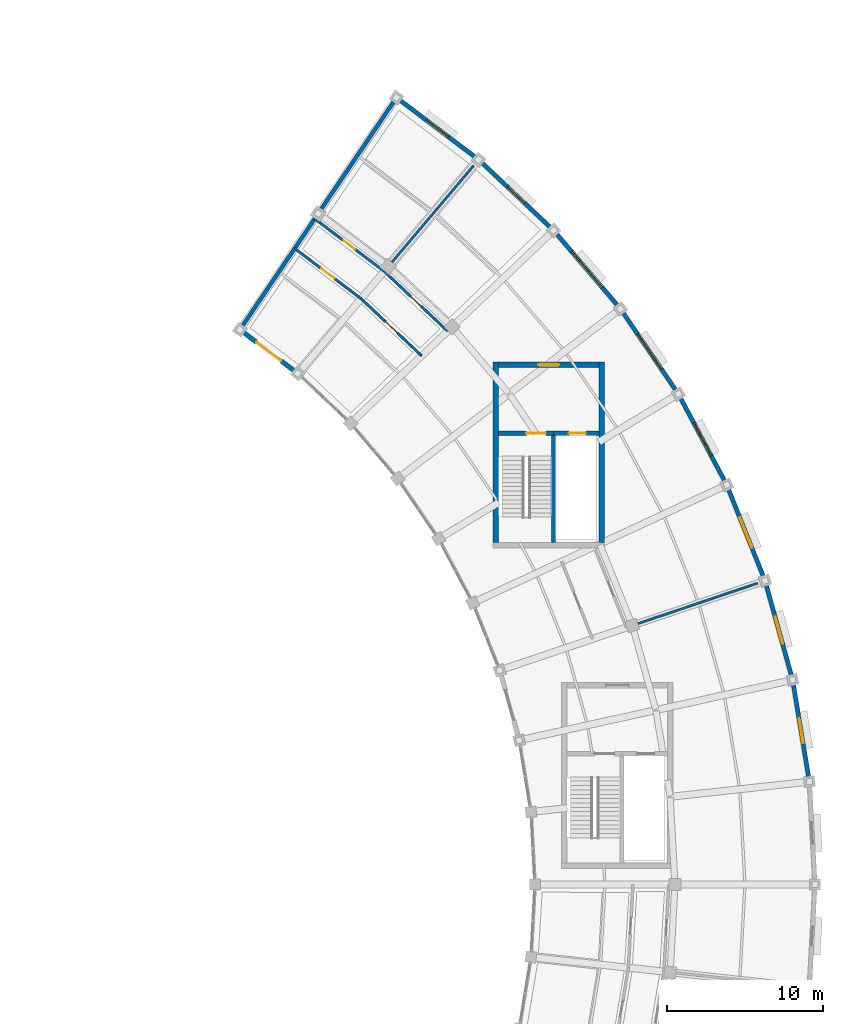
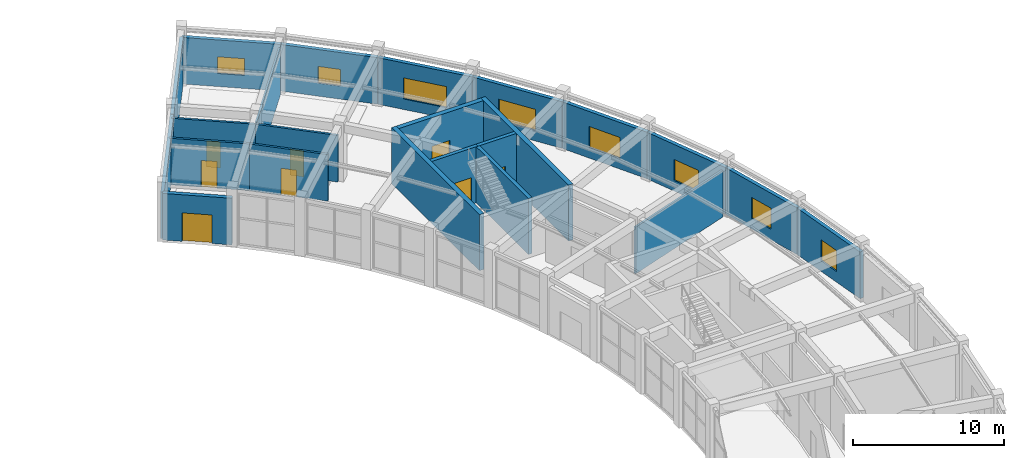
# One storey, part 95 of 108: 23 walls, 8 doors, 8 windows, 16 openings.
"""IFC4 building model written with IfcOpenShell, lengths in metres."""

import ifcopenshell
import ifcopenshell.guid

model = None  # the IFC model being written
_history = None  # IfcOwnerHistory: only IFC2X3 demands one
_inside = {}  # id of a spatial element -> (the spatial element, [elements in it])
_under = {}  # id of a project, library or spatial element -> (it, [spatial elements below it])
_declared = {}  # id of a project -> (the project, [libraries it declares])
_typed = {}  # id of a type object -> (the type object, [elements of that type])
_made_of = {}  # id of a material, layer set ... -> (it, [elements and type objects made of it])


def new_model(schema):
    """Start an empty IFC model of exactly this schema.

    Asked for "IFC4X3", IfcOpenShell would pick the latest addendum, in which some entities
    have other attributes; the version numbers below select the first issue.
    IFC2X3 requires an IfcOwnerHistory on every rooted entity: one is made here for all.
    """
    global model, _history
    if schema == "IFC4X3":
        model = ifcopenshell.file(schema_version=(4, 3, 0, 0))
    else:
        model = ifcopenshell.file(schema=schema)
    _inside.clear()
    _under.clear()
    _declared.clear()
    _typed.clear()
    _made_of.clear()
    _history = None
    if model.schema == "IFC2X3":
        org = make("IfcOrganization", Name="unknown")
        user = make(
            "IfcPersonAndOrganization",
            ThePerson=make("IfcPerson", FamilyName="unknown"),
            TheOrganization=org,
        )
        app = make(
            "IfcApplication",
            ApplicationDeveloper=org,
            Version="unknown",
            ApplicationFullName="unknown",
            ApplicationIdentifier="unknown",
        )
        _history = make(
            "IfcOwnerHistory",
            OwningUser=user,
            OwningApplication=app,
            ChangeAction="ADDED",
            CreationDate=0,
        )
    return model


def make(cls, **values):
    """One entity of the class cls with the attributes given. An attribute that is None is left unset."""
    return model.create_entity(
        cls, **{name: value for name, value in values.items() if value is not None}
    )


def rooted(cls, **values):
    """An entity with a GlobalId (a new one), such as an element, a storey or a relation."""
    return make(cls, GlobalId=ifcopenshell.guid.new(), OwnerHistory=_history, **values)


def si_unit(unit_type, name, prefix=None):
    """IfcSIUnit, for example si_unit("LENGTHUNIT", "METRE", prefix="MILLI")."""
    return make("IfcSIUnit", UnitType=unit_type, Prefix=prefix, Name=name)


def assignment(units):
    """IfcUnitAssignment: the units of a project."""
    return None if units is None else make("IfcUnitAssignment", Units=units)


def point(xyz):
    """IfcCartesianPoint."""
    return None if xyz is None else make("IfcCartesianPoint", Coordinates=xyz)


def direction(xyz):
    """IfcDirection."""
    return None if xyz is None else make("IfcDirection", DirectionRatios=xyz)


def frame(location, z_axis=None, x_axis=None):
    """IfcAxis2Placement3D, a coordinate frame: its origin and axes. An axis left out is left unset."""
    return make(
        "IfcAxis2Placement3D",
        Location=point(location),
        Axis=direction(z_axis),
        RefDirection=direction(x_axis),
    )


def frame_2d(location, x_axis=None):
    """IfcAxis2Placement2D, a coordinate frame in the plane: its origin and x axis."""
    return make(
        "IfcAxis2Placement2D", Location=point(location), RefDirection=direction(x_axis)
    )


def origin():
    """The frame at (0, 0, 0) with its axes left unset."""
    return frame((0.0, 0.0, 0.0))


def place(relative_to, where):
    """IfcLocalPlacement: puts the frame where relative to a parent placement (None: the world)."""
    return make(
        "IfcLocalPlacement", PlacementRelTo=relative_to, RelativePlacement=where
    )


def context(
    kind, dimensions, precision=None, world=None, true_north=None, identifier=None
):
    """IfcGeometricRepresentationContext, for example the 3D "Model" context."""
    return make(
        "IfcGeometricRepresentationContext",
        ContextIdentifier=identifier,
        ContextType=kind,
        CoordinateSpaceDimension=dimensions,
        Precision=precision,
        WorldCoordinateSystem=world,
        TrueNorth=true_north,
    )


def subcontext(parent, identifier, kind, view, scale=None):
    """IfcGeometricRepresentationSubContext, for example "Body" below "Model"."""
    return make(
        "IfcGeometricRepresentationSubContext",
        ContextIdentifier=identifier,
        ContextType=kind,
        ParentContext=parent,
        TargetScale=scale,
        TargetView=view,
    )


def project(units=None, contexts=None):
    """IfcProject with its units and contexts."""
    return rooted(
        "IfcProject",
        Name="project",
        RepresentationContexts=contexts,
        UnitsInContext=assignment(units),
    )


def spatial(cls, under=None, at=None, **own):
    """A site, building, storey or space (cls), placed at a placement, below another one or the project."""
    s = rooted(cls, ObjectPlacement=at, **own)
    if under is not None:
        _under.setdefault(under.id(), (under, []))[1].append(s)
    return s


def profile(cls, at=None, kind="AREA", **sizes):
    """A parametric profile (cls). Its sizes go by their IFC names, for example OverallWidth=200.0."""
    return make(cls, ProfileType=kind, Position=at, **sizes)


def rectangle(**sizes):
    """IfcRectangleProfileDef."""
    return profile("IfcRectangleProfileDef", **sizes)


def extrude(swept, where, along, depth):
    """IfcExtrudedAreaSolid: the profile swept, set in the frame where, extruded along a direction by depth."""
    return make(
        "IfcExtrudedAreaSolid",
        SweptArea=swept,
        Position=where,
        ExtrudedDirection=direction(along),
        Depth=depth,
    )


def shape(context_of_items, identifier, shape_type, items):
    """IfcShapeRepresentation: the items that make up one representation, for example the "Body"."""
    return make(
        "IfcShapeRepresentation",
        ContextOfItems=context_of_items,
        RepresentationIdentifier=identifier,
        RepresentationType=shape_type,
        Items=items,
    )


def material(Name=None, Category=None):
    """IfcMaterial."""
    return make("IfcMaterial", Name=Name, Category=Category)


def layer(
    of_material, thickness, ventilated=None, Name=None, Category=None, Priority=None
):
    """IfcMaterialLayer: one layer of a wall or slab, of a material (None: an air gap)."""
    return make(
        "IfcMaterialLayer",
        Material=of_material,
        LayerThickness=thickness,
        IsVentilated=ventilated,
        Name=Name,
        Category=Category,
        Priority=Priority,
    )


def layer_set(layers, Name=None):
    """IfcMaterialLayerSet."""
    return make("IfcMaterialLayerSet", MaterialLayers=layers, LayerSetName=Name)


def made_of(thing, what):
    """Note that an element or type object is made of a material, layer set ...; save() writes the relation."""
    if what is not None:
        _made_of.setdefault(what.id(), (what, []))[1].append(thing)
    return thing


def type_object(cls, material=None, **own):
    """A type object (cls), such as IfcWallType, which elements share."""
    return made_of(rooted(cls, **own), material)


def element(
    cls,
    number,
    at=None,
    inside=None,
    cuts=None,
    type_object=None,
    material=None,
    context=None,
    identifier="Body",
    shape_type=None,
    held_by="IfcProductDefinitionShape",
    body=None,
    shapes=None,
    **own,
):
    """One element of the class cls, such as IfcWall. Its Tag is "e" and its number.

    at: its placement. inside: the storey or other place that contains it. cuts: it is an
    opening in that element (IfcRelVoidsElement). A single representation is given by context,
    identifier, shape_type and body (its items); several are given by shapes. held_by: the class
    of the entity that holds the representations. save() writes the other relations.
    """
    e = rooted(cls, Tag="e%d" % number, ObjectPlacement=at, **own)
    if body is not None:
        shapes = [shape(context, identifier, shape_type, body)]
    if shapes is not None:
        e.Representation = make(held_by, Representations=shapes)
    if inside is not None:
        _inside.setdefault(inside.id(), (inside, []))[1].append(e)
    if cuts is not None:
        rooted(
            "IfcRelVoidsElement", RelatingBuildingElement=cuts, RelatedOpeningElement=e
        )
    if type_object is not None:
        _typed.setdefault(type_object.id(), (type_object, []))[1].append(e)
    return made_of(e, material)


def fill(opening, filler):
    """IfcRelFillsElement: the door or window that sits in an opening."""
    return rooted(
        "IfcRelFillsElement",
        RelatingOpeningElement=opening,
        RelatedBuildingElement=filler,
    )


def aggregate(whole, parts):
    """IfcRelAggregates: a whole, such as a stair, and the parts it consists of."""
    return rooted("IfcRelAggregates", RelatingObject=whole, RelatedObjects=parts)


def save(model, path):
    """Write the relations noted so far, then the file.

    IfcRelAggregates (storeys below a building ...), IfcRelContainedInSpatialStructure (elements
    in a storey), IfcRelDefinesByType, IfcRelAssociatesMaterial and IfcRelDeclares: one each for
    every whole, place, type object, material and project.
    """
    for whole, parts in _under.values():
        aggregate(whole, parts)
    for where, things in _inside.values():
        rooted(
            "IfcRelContainedInSpatialStructure",
            RelatedElements=things,
            RelatingStructure=where,
        )
    for kind, things in _typed.values():
        rooted("IfcRelDefinesByType", RelatedObjects=things, RelatingType=kind)
    for what, things in _made_of.values():
        rooted("IfcRelAssociatesMaterial", RelatedObjects=things, RelatingMaterial=what)
    for by, libraries in _declared.values():
        rooted("IfcRelDeclares", RelatingContext=by, RelatedDefinitions=libraries)
    model.write(path)


model = new_model("IFC4")

# Units and contexts
model_context = context("Model", 3, precision=1e-05, world=origin(), true_north=direction((0.0, 1.0)))
body_context = subcontext(model_context, "Body", "Model", "MODEL_VIEW")
ifc_project = project(units=[si_unit("LENGTHUNIT", "METRE"), si_unit("AREAUNIT", "SQUARE_METRE"), si_unit("VOLUMEUNIT", "CUBIC_METRE"), si_unit("PLANEANGLEUNIT", "RADIAN"), si_unit("MASSUNIT", "GRAM", prefix="KILO")], contexts=[model_context])

# Site, building, storey
site_placement = place(None, origin())
site = spatial("IfcSite", under=ifc_project, at=site_placement, CompositionType="ELEMENT")
building_placement = place(site_placement, origin())
building = spatial("IfcBuilding", under=site, at=building_placement, Name="Tarnveldt Headland Concert Hall", CompositionType="ELEMENT")
storey_placement = place(building_placement, origin())
storey = spatial("IfcBuildingStorey", under=building, at=storey_placement, Name="L00", CompositionType="ELEMENT", Elevation=0.0)

# Wall, opening, door
ifc_material_1 = material(Name="Concrete C40/50", Category="concrete")
ifc_layer_1 = layer(ifc_material_1, 0.35009765625, Name="Concrete C40/50", Category="concrete")
ifc_layer_set_1 = layer_set([ifc_layer_1], Name="Concrete C40/50")
wall_type_1 = type_object("IfcWallType", Name="WL-CR350", PredefinedType="SHEAR", material=ifc_layer_set_1)
wall_1_placement = place(storey_placement, frame((158.175048828125, 93.39990234375, 0.0), z_axis=(0.0, 0.0, 1.0), x_axis=(1.0, 0.0, 0.0)))
wall_1 = element("IfcWall", 1, at=wall_1_placement, inside=storey, type_object=wall_type_1, Name="Core C3 north shear wall L00", PredefinedType="SHEAR", context=body_context, shape_type="SweptSolid", body=[
    extrude(rectangle(XDim=6.449951171875, YDim=0.35009765625, at=frame_2d((3.22509765625, 0.0))), origin(), (0.0, 0.0, 1.0), 4.52001953125),
])
opening_1_placement = place(wall_1_placement, frame((2.550048828125, 0.0, 0.0)))
opening_1 = element("IfcOpeningElement", 2, at=opening_1_placement, cuts=wall_1, Name="Opening FFD-C3-L00", PredefinedType="OPENING", context=body_context, shape_type="SweptSolid", body=[
    extrude(rectangle(XDim=1.35009765625, YDim=2.199951171875, at=frame_2d((0.675048828125, 1.10009765625))), frame((0.0, 0.18505859375, 0.0), z_axis=(0.0, -1.0, 0.0), x_axis=(1.0, 0.0, 0.0)), (0.0, 0.0, 1.0), 0.3701171875),
])
ifc_material_2 = material(Name="Galvanised painted steel sheet", Category="steel")
door_type_1 = type_object("IfcDoorType", Name="DR-FF135", OperationType="NOTDEFINED", PredefinedType="DOOR", material=ifc_material_2)
door_1_placement = place(opening_1_placement, origin())
door_1 = element("IfcDoor", 3, at=door_1_placement, inside=storey, type_object=door_type_1, Name="Core C3 firefighting lobby entrance door L00", OperationType="SINGLE_SWING_RIGHT", OverallHeight=2.199951171875, OverallWidth=1.35009765625, PredefinedType="DOOR", context=body_context, shape_type="SweptSolid", body=[
    extrude(rectangle(XDim=1.35009765625, YDim=2.199951171875, at=frame_2d((0.675048828125, 1.10009765625))), frame((0.0, 0.02490234375, 0.0), z_axis=(0.0, -1.0, 0.0), x_axis=(1.0, 0.0, 0.0)), (0.0, 0.0, 1.0), 0.050048828125),
])
fill(opening_1, door_1)

# Walls
for number, where, z_axis, x_axis, name in (
    (4, (158.0, 81.97509765625, 0.0), (0.0, 0.0, 1.0), (0.0, 1.0, 0.0), "Core C3 west shear wall L00"),
    (5, (164.800048828125, 81.97509765625, 0.0), (0.0, 0.0, 1.0), (0.0, 1.0, 0.0), "Core C3 east shear wall L00"),
):
    element("IfcWall", number, at=place(storey_placement, frame(where, z_axis=z_axis, x_axis=x_axis)), inside=storey, type_object=wall_type_1, Name=name, PredefinedType="SHEAR", context=body_context, shape_type="SweptSolid", body=[
        extrude(rectangle(XDim=11.599853515625, YDim=0.35009765625, at=frame_2d((5.7998046875, 0.0))), origin(), (0.0, 0.0, 1.0), 4.52001953125),
    ])
ifc_material_3 = material(Name="Coral-toned precast concrete C40/50", Category="concrete")
ifc_layer_2 = layer(ifc_material_3, 0.25, Name="Coral-toned precast concrete C40/50", Category="concrete")
ifc_layer_set_2 = layer_set([ifc_layer_2], Name="Coral-toned precast concrete C40/50")
wall_type_2 = type_object("IfcWallType", Name="WL-EX250", PredefinedType="SOLIDWALL", material=ifc_layer_set_2)
wall_2_placement = place(storey_placement, frame((141.556396484375, 95.665283203125, 0.0), z_axis=(0.0, 0.0, 1.0), x_axis=(0.559200466777, 0.829032470991, 0.0)))
element("IfcWall", 6, at=wall_2_placement, inside=storey, type_object=wall_type_2, Name="External precast wall L00-109", PredefinedType="SOLIDWALL", context=body_context, shape_type="SweptSolid", body=[
    extrude(rectangle(XDim=8.960205078125, YDim=0.25, at=frame_2d((4.47998046875, 0.0))), origin(), (0.0, 0.0, 1.0), 3.758056640625),
])
wall_3_placement = place(storey_placement, frame((146.589111328125, 103.126708984375, 0.0), z_axis=(0.0, 0.0, 1.0), x_axis=(0.559213098812, 0.829023950268, 0.0)))
element("IfcWall", 7, at=wall_3_placement, inside=storey, type_object=wall_type_2, Name="External precast wall L00-110", PredefinedType="SOLIDWALL", context=body_context, shape_type="SweptSolid", body=[
    extrude(rectangle(XDim=8.9599609375, YDim=0.25, at=frame_2d((4.47998046875, 0.0))), origin(), (0.0, 0.0, 1.0), 3.758056640625),
])

# Wall, opening, window
ifc_layer_3 = layer(ifc_material_3, 0.27490234375, Name="Coral-toned precast concrete C40/50", Category="concrete")
ifc_layer_set_3 = layer_set([ifc_layer_3], Name="Coral-toned precast concrete C40/50")
wall_type_3 = type_object("IfcWallType", Name="WL-EX275", PredefinedType="SOLIDWALL", material=ifc_layer_set_3)
wall_4_placement = place(storey_placement, frame((177.070068359375, 73.12548828125, 0.0), z_axis=(0.0, 0.0, 1.0), x_axis=(0.162178892589, -0.986761372774, 0.0)))
wall_4 = element("IfcWall", 8, at=wall_4_placement, inside=storey, type_object=wall_type_3, Name="External precast wall L00-97", PredefinedType="SOLIDWALL", context=body_context, shape_type="SweptSolid", body=[
    extrude(rectangle(XDim=6.58154296875, YDim=0.27490234375, at=frame_2d((3.290771484375, 0.0))), origin(), (0.0, 0.0, 1.0), 3.758056640625),
])
opening_2_placement = place(wall_4_placement, frame((2.49072265625, 0.0, 0.85009765625)))
opening_2 = element("IfcOpeningElement", 9, at=opening_2_placement, cuts=wall_4, Name="Opening W-C034", PredefinedType="OPENING", context=body_context, shape_type="SweptSolid", body=[
    extrude(rectangle(XDim=1.60009765625, YDim=1.699951171875, at=frame_2d((0.800048828125, 0.85009765625))), frame((0.0, 0.1474609375, 0.0), z_axis=(0.0, -1.0, 0.0), x_axis=(1.0, 0.0, 0.0)), (0.0, 0.0, 1.0), 0.294921875),
])
ifc_material_4 = material(Name="Acoustic laminated low-iron double glazing", Category="glass")
window_type_1 = type_object("IfcWindowType", Name="WN-11", PartitioningType="SINGLE_PANEL", PredefinedType="WINDOW", material=ifc_material_4)
window_1_placement = place(opening_2_placement, origin())
window_1 = element("IfcWindow", 10, at=window_1_placement, inside=storey, type_object=window_type_1, Name="Crescent coastal studio window L00-11", OverallHeight=1.699951171875, OverallWidth=1.60009765625, PartitioningType="SINGLE_PANEL", PredefinedType="WINDOW", context=body_context, shape_type="SweptSolid", body=[
    extrude(rectangle(XDim=1.60009765625, YDim=1.699951171875, at=frame_2d((0.800048828125, 0.85009765625))), frame((0.0, 0.030029296875, 0.0), z_axis=(0.0, -1.0, 0.0), x_axis=(1.0, 0.0, 0.0)), (0.0, 0.0, 1.0), 0.06005859375),
])
fill(opening_2, window_1)

wall_5_placement = place(storey_placement, frame((175.296630859375, 79.50439453125, 0.0), z_axis=(0.0, 0.0, 1.0), x_axis=(0.268139380464, -0.96338012884, 0.0)))
wall_5 = element("IfcWall", 11, at=wall_5_placement, inside=storey, type_object=wall_type_3, Name="External precast wall L00-99", PredefinedType="SOLIDWALL", context=body_context, shape_type="SweptSolid", body=[
    extrude(rectangle(XDim=6.5810546875, YDim=0.27490234375, at=frame_2d((3.29052734375, 0.0))), origin(), (0.0, 0.0, 1.0), 3.758056640625),
])
opening_3_placement = place(wall_5_placement, frame((2.390625, 0.0, 0.85009765625)))
opening_3 = element("IfcOpeningElement", 12, at=opening_3_placement, cuts=wall_5, Name="Opening W-C035", PredefinedType="OPENING", context=body_context, shape_type="SweptSolid", body=[
    extrude(rectangle(XDim=1.800048828125, YDim=1.699951171875, at=frame_2d((0.89990234375, 0.85009765625))), frame((0.0, 0.1474609375, 0.0), z_axis=(0.0, -1.0, 0.0), x_axis=(1.0, 0.0, 0.0)), (0.0, 0.0, 1.0), 0.294921875),
])
window_type_2 = type_object("IfcWindowType", Name="WN-12", PartitioningType="SINGLE_PANEL", PredefinedType="WINDOW", material=ifc_material_4)
window_2_placement = place(opening_3_placement, origin())
window_2 = element("IfcWindow", 13, at=window_2_placement, inside=storey, type_object=window_type_2, Name="Crescent coastal studio window L00-12", OverallHeight=1.699951171875, OverallWidth=1.800048828125, PartitioningType="SINGLE_PANEL", PredefinedType="WINDOW", context=body_context, shape_type="SweptSolid", body=[
    extrude(rectangle(XDim=1.800048828125, YDim=1.699951171875, at=frame_2d((0.89990234375, 0.85009765625))), frame((0.0, 0.030029296875, 0.0), z_axis=(0.0, -1.0, 0.0), x_axis=(1.0, 0.0, 0.0)), (0.0, 0.0, 1.0), 0.06005859375),
])
fill(opening_3, window_2)

wall_6_placement = place(storey_placement, frame((172.842041015625, 85.65380859375, 0.0), z_axis=(0.0, 0.0, 1.0), x_axis=(0.371013273361, -0.928627563122, 0.0)))
wall_6 = element("IfcWall", 14, at=wall_6_placement, inside=storey, type_object=wall_type_3, Name="External precast wall L00-100", PredefinedType="SOLIDWALL", context=body_context, shape_type="SweptSolid", body=[
    extrude(rectangle(XDim=6.5810546875, YDim=0.27490234375, at=frame_2d((3.29052734375, 0.0))), origin(), (0.0, 0.0, 1.0), 3.758056640625),
])
opening_4_placement = place(wall_6_placement, frame((2.240478515625, 0.0, 0.85009765625)))
opening_4 = element("IfcOpeningElement", 15, at=opening_4_placement, cuts=wall_6, Name="Opening W-C036", PredefinedType="OPENING", context=body_context, shape_type="SweptSolid", body=[
    extrude(rectangle(XDim=2.10009765625, YDim=1.699951171875, at=frame_2d((1.050048828125, 0.85009765625))), frame((0.0, 0.1474609375, 0.0), z_axis=(0.0, -1.0, 0.0), x_axis=(1.0, 0.0, 0.0)), (0.0, 0.0, 1.0), 0.294921875),
])
window_type_3 = type_object("IfcWindowType", Name="WN-13", PartitioningType="SINGLE_PANEL", PredefinedType="WINDOW", material=ifc_material_4)
window_3_placement = place(opening_4_placement, origin())
window_3 = element("IfcWindow", 16, at=window_3_placement, inside=storey, type_object=window_type_3, Name="Crescent coastal studio window L00-13", OverallHeight=1.699951171875, OverallWidth=2.10009765625, PartitioningType="SINGLE_PANEL", PredefinedType="WINDOW", context=body_context, shape_type="SweptSolid", body=[
    extrude(rectangle(XDim=2.10009765625, YDim=1.699951171875, at=frame_2d((1.050048828125, 0.85009765625))), frame((0.0, 0.030029296875, 0.0), z_axis=(0.0, -1.0, 0.0), x_axis=(1.0, 0.0, 0.0)), (0.0, 0.0, 1.0), 0.06005859375),
])
fill(opening_4, window_3)

wall_7_placement = place(storey_placement, frame((169.735595703125, 91.5009765625, 0.0), z_axis=(0.0, 0.0, 1.0), x_axis=(0.469465310576, -0.882950917189, 0.0)))
wall_7 = element("IfcWall", 17, at=wall_7_placement, inside=storey, type_object=wall_type_3, Name="External precast wall L00-101", PredefinedType="SOLIDWALL", context=body_context, shape_type="SweptSolid", body=[
    extrude(rectangle(XDim=6.5810546875, YDim=0.27490234375, at=frame_2d((3.29052734375, 0.0))), origin(), (0.0, 0.0, 1.0), 3.758056640625),
])
opening_5_placement = place(wall_7_placement, frame((2.090576171875, 0.0, 0.85009765625)))
opening_5 = element("IfcOpeningElement", 18, at=opening_5_placement, cuts=wall_7, Name="Opening W-C037", PredefinedType="OPENING", context=body_context, shape_type="SweptSolid", body=[
    extrude(rectangle(XDim=2.39990234375, YDim=1.699951171875, at=frame_2d((1.199951171875, 0.85009765625))), frame((0.0, 0.1474609375, 0.0), z_axis=(0.0, -1.0, 0.0), x_axis=(1.0, 0.0, 0.0)), (0.0, 0.0, 1.0), 0.294921875),
])
window_type_4 = type_object("IfcWindowType", Name="WN-14", PartitioningType="SINGLE_PANEL", PredefinedType="WINDOW", material=ifc_material_4)
window_4_placement = place(opening_5_placement, origin())
window_4 = element("IfcWindow", 19, at=window_4_placement, inside=storey, type_object=window_type_4, Name="Crescent coastal studio window L00-14", OverallHeight=1.699951171875, OverallWidth=2.39990234375, PartitioningType="SINGLE_PANEL", PredefinedType="WINDOW", context=body_context, shape_type="SweptSolid", body=[
    extrude(rectangle(XDim=2.39990234375, YDim=1.699951171875, at=frame_2d((1.199951171875, 0.85009765625))), frame((0.0, 0.030029296875, 0.0), z_axis=(0.0, -1.0, 0.0), x_axis=(1.0, 0.0, 0.0)), (0.0, 0.0, 1.0), 0.06005859375),
])
fill(opening_5, window_4)

wall_8_placement = place(storey_placement, frame((166.013671875, 96.97705078125, 0.0), z_axis=(0.0, 0.0, 1.0), x_axis=(0.56240640933, -0.826860950067, 0.0)))
wall_8 = element("IfcWall", 20, at=wall_8_placement, inside=storey, type_object=wall_type_3, Name="External precast wall L00-102", PredefinedType="SOLIDWALL", context=body_context, shape_type="SweptSolid", body=[
    extrude(rectangle(XDim=6.581298828125, YDim=0.27490234375, at=frame_2d((3.29052734375, 0.0))), origin(), (0.0, 0.0, 1.0), 3.758056640625),
])
opening_6_placement = place(wall_8_placement, frame((1.940673828125, 0.0, 0.85009765625)))
opening_6 = element("IfcOpeningElement", 21, at=opening_6_placement, cuts=wall_8, Name="Opening W-C038", PredefinedType="OPENING", context=body_context, shape_type="SweptSolid", body=[
    extrude(rectangle(XDim=2.699951171875, YDim=1.699951171875, at=frame_2d((1.35009765625, 0.85009765625))), frame((0.0, 0.1474609375, 0.0), z_axis=(0.0, -1.0, 0.0), x_axis=(1.0, 0.0, 0.0)), (0.0, 0.0, 1.0), 0.294921875),
])
window_type_5 = type_object("IfcWindowType", Name="WN-15", PartitioningType="SINGLE_PANEL", PredefinedType="WINDOW", material=ifc_material_4)
window_5_placement = place(opening_6_placement, origin())
window_5 = element("IfcWindow", 22, at=window_5_placement, inside=storey, type_object=window_type_5, Name="Crescent coastal studio window L00-15", OverallHeight=1.699951171875, OverallWidth=2.699951171875, PartitioningType="SINGLE_PANEL", PredefinedType="WINDOW", context=body_context, shape_type="SweptSolid", body=[
    extrude(rectangle(XDim=2.699951171875, YDim=1.699951171875, at=frame_2d((1.35009765625, 0.85009765625))), frame((0.0, 0.030029296875, 0.0), z_axis=(0.0, -1.0, 0.0), x_axis=(1.0, 0.0, 0.0)), (0.0, 0.0, 1.0), 0.06005859375),
])
fill(opening_6, window_5)

wall_9_placement = place(storey_placement, frame((161.72021484375, 102.017333984375, 0.0), z_axis=(0.0, 0.0, 1.0), x_axis=(0.648708464949, -0.761037007973, 0.0)))
wall_9 = element("IfcWall", 23, at=wall_9_placement, inside=storey, type_object=wall_type_3, Name="External precast wall L00-103", PredefinedType="SOLIDWALL", context=body_context, shape_type="SweptSolid", body=[
    extrude(rectangle(XDim=6.581298828125, YDim=0.27490234375, at=frame_2d((3.29052734375, 0.0))), origin(), (0.0, 0.0, 1.0), 3.758056640625),
])
opening_7_placement = place(wall_9_placement, frame((1.79052734375, 0.0, 0.85009765625)))
opening_7 = element("IfcOpeningElement", 24, at=opening_7_placement, cuts=wall_9, Name="Opening W-C039", PredefinedType="OPENING", context=body_context, shape_type="SweptSolid", body=[
    extrude(rectangle(XDim=3.0, YDim=1.699951171875, at=frame_2d((1.5, 0.85009765625))), frame((0.0, 0.1474609375, 0.0), z_axis=(0.0, -1.0, 0.0), x_axis=(1.0, 0.0, 0.0)), (0.0, 0.0, 1.0), 0.294921875),
])
window_type_6 = type_object("IfcWindowType", Name="WN-16", PartitioningType="SINGLE_PANEL", PredefinedType="WINDOW", material=ifc_material_4)
window_6_placement = place(opening_7_placement, origin())
window_6 = element("IfcWindow", 25, at=window_6_placement, inside=storey, type_object=window_type_6, Name="Crescent coastal studio window L00-16", OverallHeight=1.699951171875, OverallWidth=3.0, PartitioningType="SINGLE_PANEL", PredefinedType="WINDOW", context=body_context, shape_type="SweptSolid", body=[
    extrude(rectangle(XDim=3.0, YDim=1.699951171875, at=frame_2d((1.5, 0.85009765625))), frame((0.0, 0.030029296875, 0.0), z_axis=(0.0, -1.0, 0.0), x_axis=(1.0, 0.0, 0.0)), (0.0, 0.0, 1.0), 0.06005859375),
])
fill(opening_7, window_6)

wall_10_placement = place(storey_placement, frame((156.905517578125, 106.5625, 0.0), z_axis=(0.0, 0.0, 1.0), x_axis=(0.727377231984, -0.686237832235, 0.0)))
wall_10 = element("IfcWall", 26, at=wall_10_placement, inside=storey, type_object=wall_type_3, Name="External precast wall L00-104", PredefinedType="SOLIDWALL", context=body_context, shape_type="SweptSolid", body=[
    extrude(rectangle(XDim=6.581298828125, YDim=0.27490234375, at=frame_2d((3.29052734375, 0.0))), origin(), (0.0, 0.0, 1.0), 3.758056640625),
])
opening_8_placement = place(wall_10_placement, frame((2.540771484375, 0.0, 1.050048828125)))
opening_8 = element("IfcOpeningElement", 27, at=opening_8_placement, cuts=wall_10, Name="Opening W-C040", PredefinedType="OPENING", context=body_context, shape_type="SweptSolid", body=[
    extrude(rectangle(XDim=1.5, YDim=1.35009765625, at=frame_2d((0.75, 0.675048828125))), frame((0.0, 0.1474609375, 0.0), z_axis=(0.0, -1.0, 0.0), x_axis=(1.0, 0.0, 0.0)), (0.0, 0.0, 1.0), 0.294921875),
])
window_type_7 = type_object("IfcWindowType", Name="WN-17", PartitioningType="SINGLE_PANEL", PredefinedType="WINDOW", material=ifc_material_4)
window_7_placement = place(opening_8_placement, origin())
window_7 = element("IfcWindow", 28, at=window_7_placement, inside=storey, type_object=window_type_7, Name="Crescent coastal studio window L00-17", OverallHeight=1.35009765625, OverallWidth=1.5, PartitioningType="SINGLE_PANEL", PredefinedType="WINDOW", context=body_context, shape_type="SweptSolid", body=[
    extrude(rectangle(XDim=1.5, YDim=1.35009765625, at=frame_2d((0.75, 0.675048828125))), frame((0.0, 0.030029296875, 0.0), z_axis=(0.0, -1.0, 0.0), x_axis=(1.0, 0.0, 0.0)), (0.0, 0.0, 1.0), 0.06005859375),
])
fill(opening_8, window_7)

wall_11_placement = place(storey_placement, frame((151.626708984375, 110.55908203125, 0.0), z_axis=(0.0, 0.0, 1.0), x_axis=(0.797477783019, -0.603348311998, 0.0)))
wall_11 = element("IfcWall", 29, at=wall_11_placement, inside=storey, type_object=wall_type_3, Name="External precast wall L00-106", PredefinedType="SOLIDWALL", context=body_context, shape_type="SweptSolid", body=[
    extrude(rectangle(XDim=6.5810546875, YDim=0.27490234375, at=frame_2d((3.29052734375, 0.0))), origin(), (0.0, 0.0, 1.0), 3.758056640625),
])
opening_9_placement = place(wall_11_placement, frame((2.390625, 0.0, 1.050048828125)))
opening_9 = element("IfcOpeningElement", 30, at=opening_9_placement, cuts=wall_11, Name="Opening W-C041", PredefinedType="OPENING", context=body_context, shape_type="SweptSolid", body=[
    extrude(rectangle(XDim=1.800048828125, YDim=1.35009765625, at=frame_2d((0.89990234375, 0.675048828125))), frame((0.0, 0.1474609375, 0.0), z_axis=(0.0, -1.0, 0.0), x_axis=(1.0, 0.0, 0.0)), (0.0, 0.0, 1.0), 0.294921875),
])
window_type_8 = type_object("IfcWindowType", Name="WN-18", PartitioningType="SINGLE_PANEL", PredefinedType="WINDOW", material=ifc_material_4)
window_8_placement = place(opening_9_placement, origin())
window_8 = element("IfcWindow", 31, at=window_8_placement, inside=storey, type_object=window_type_8, Name="Crescent coastal studio window L00-18", OverallHeight=1.35009765625, OverallWidth=1.800048828125, PartitioningType="SINGLE_PANEL", PredefinedType="WINDOW", context=body_context, shape_type="SweptSolid", body=[
    extrude(rectangle(XDim=1.800048828125, YDim=1.35009765625, at=frame_2d((0.89990234375, 0.675048828125))), frame((0.0, 0.030029296875, 0.0), z_axis=(0.0, -1.0, 0.0), x_axis=(1.0, 0.0, 0.0)), (0.0, 0.0, 1.0), 0.06005859375),
])
fill(opening_9, window_8)

# Wall, opening, door
ifc_layer_4 = layer(ifc_material_3, 0.300048828125, Name="Coral-toned precast concrete C40/50", Category="concrete")
ifc_layer_set_4 = layer_set([ifc_layer_4], Name="Coral-toned precast concrete C40/50")
wall_type_4 = type_object("IfcWallType", Name="WL-EX300", PredefinedType="SOLIDWALL", material=ifc_layer_set_4)
wall_12_placement = place(storey_placement, frame((145.25146484375, 92.844482421875, 0.0), z_axis=(0.0, 0.0, 1.0), x_axis=(-0.797466762723, 0.603362877837, 0.0)))
wall_12 = element("IfcWall", 32, at=wall_12_placement, inside=storey, type_object=wall_type_4, Name="External precast wall L00-105", PredefinedType="SOLIDWALL", context=body_context, shape_type="SweptSolid", body=[
    extrude(rectangle(XDim=4.62744140625, YDim=0.300048828125, at=frame_2d((2.313720703125, 0.0))), origin(), (0.0, 0.0, 1.0), 3.758056640625),
])
opening_10_placement = place(wall_12_placement, frame((1.313720703125, 0.0, 0.0)))
opening_10 = element("IfcOpeningElement", 33, at=opening_10_placement, cuts=wall_12, Name="Opening EX-12", PredefinedType="OPENING", context=body_context, shape_type="SweptSolid", body=[
    extrude(rectangle(XDim=2.0, YDim=2.300048828125, at=frame_2d((1.0, 1.14990234375))), frame((0.0, 0.159912109375, 0.0), z_axis=(0.0, -1.0, 0.0), x_axis=(1.0, 0.0, 0.0)), (0.0, 0.0, 1.0), 0.320068359375),
])
ifc_material_5 = material(Name="Marine-anodised aluminium EN AW-6063-T6", Category="aluminium")
door_type_2 = type_object("IfcDoorType", Name="DR-EX200", OperationType="NOTDEFINED", PredefinedType="DOOR", material=ifc_material_5)
door_2_placement = place(opening_10_placement, origin())
door_2 = element("IfcDoor", 34, at=door_2_placement, inside=storey, type_object=door_type_2, Name="Crescent forecourt exit door EX-12", OperationType="DOUBLE_DOOR_SINGLE_SWING", OverallHeight=2.300048828125, OverallWidth=2.0, PredefinedType="DOOR", context=body_context, shape_type="SweptSolid", body=[
    extrude(rectangle(XDim=2.0, YDim=2.300048828125, at=frame_2d((1.0, 1.14990234375))), frame((0.0, 0.02490234375, 0.0), z_axis=(0.0, -1.0, 0.0), x_axis=(1.0, 0.0, 0.0)), (0.0, 0.0, 1.0), 0.050048828125),
])
fill(opening_10, door_2)

# Walls
ifc_material_6 = material(Name="Acoustic multi-layer gypsum and mineral-wool partition", Category="gypsum")
ifc_layer_5 = layer(ifc_material_6, 0.14990234375, Name="Acoustic multi-layer gypsum and mineral-wool partition", Category="gypsum")
ifc_layer_set_5 = layer_set([ifc_layer_5], Name="Acoustic multi-layer gypsum and mineral-wool partition")
wall_type_5 = type_object("IfcWallType", Name="WL-PT150", PredefinedType="PARTITIONING", material=ifc_layer_set_5)
for number, where, z_axis, x_axis, name in (
    (35, (166.5751953125, 76.5791015625, 0.0), (0.0, 0.0, 1.0), (0.947390199596, 0.320080942435, 0.0), "Interior acoustic partition L00-162"),
    (36, (150.9501953125, 99.5517578125, 0.0), (0.0, 0.0, 1.0), (0.645745976221, 0.763552312677, 0.0), "Interior acoustic partition L00-167"),
):
    element("IfcWall", number, at=place(storey_placement, frame(where, z_axis=z_axis, x_axis=x_axis)), inside=storey, type_object=wall_type_5, Name=name, PredefinedType="PARTITIONING", context=body_context, shape_type="SweptSolid", body=[
        extrude(rectangle(XDim=8.699951171875, YDim=0.14990234375, at=frame_2d((4.35009765625, 0.0))), origin(), (0.0, 0.0, 1.0), 3.760009765625),
    ])

# Wall, opening, door
ifc_layer_6 = layer(ifc_material_6, 0.1650390625, Name="Acoustic multi-layer gypsum and mineral-wool partition", Category="gypsum")
ifc_layer_set_6 = layer_set([ifc_layer_6], Name="Acoustic multi-layer gypsum and mineral-wool partition")
wall_type_6 = type_object("IfcWallType", Name="WL-PT165", PredefinedType="PARTITIONING", material=ifc_layer_set_6)
wall_13_placement = place(storey_placement, frame((153.22802734375, 93.970458984375, 0.0), z_axis=(0.0, 0.0, 1.0), x_axis=(-0.7273609966, 0.68625504051, 0.0)))
wall_13 = element("IfcWall", 37, at=wall_13_placement, inside=storey, type_object=wall_type_6, Name="Interior acoustic partition L00-163", PredefinedType="PARTITIONING", context=body_context, shape_type="SweptSolid", body=[
    extrude(rectangle(XDim=5.351318359375, YDim=0.1650390625, at=frame_2d((2.67578125, 0.0))), origin(), (0.0, 0.0, 1.0), 3.760009765625),
])
opening_11_placement = place(wall_13_placement, frame((2.150634765625, 0.0, 0.0)))
opening_11 = element("IfcOpeningElement", 38, at=opening_11_placement, cuts=wall_13, Name="Opening D-L00-175", PredefinedType="OPENING", context=body_context, shape_type="SweptSolid", body=[
    extrude(rectangle(XDim=1.050048828125, YDim=2.14990234375, at=frame_2d((0.52490234375, 1.074951171875))), frame((0.0, 0.092529296875, 0.0), z_axis=(0.0, -1.0, 0.0), x_axis=(1.0, 0.0, 0.0)), (0.0, 0.0, 1.0), 0.18505859375),
])
ifc_material_7 = material(Name="Treated East African mvule hardwood", Category="wood")
door_type_3 = type_object("IfcDoorType", Name="DR-RM105", OperationType="NOTDEFINED", PredefinedType="DOOR", material=ifc_material_7)
door_3_placement = place(opening_11_placement, origin())
door_3 = element("IfcDoor", 39, at=door_3_placement, inside=storey, type_object=door_type_3, Name="Interior room door L00-175", OperationType="SINGLE_SWING_LEFT", OverallHeight=2.14990234375, OverallWidth=1.050048828125, PredefinedType="DOOR", context=body_context, shape_type="SweptSolid", body=[
    extrude(rectangle(XDim=1.050048828125, YDim=2.14990234375, at=frame_2d((0.52490234375, 1.074951171875))), frame((0.0, 0.02490234375, 0.0), z_axis=(0.0, -1.0, 0.0), x_axis=(1.0, 0.0, 0.0)), (0.0, 0.0, 1.0), 0.050048828125),
])
fill(opening_11, door_3)

wall_14_placement = place(storey_placement, frame((154.89501953125, 95.555419921875, 0.0), z_axis=(0.0, 0.0, 1.0), x_axis=(-0.727402273239, 0.686211288807, 0.0)))
wall_14 = element("IfcWall", 40, at=wall_14_placement, inside=storey, type_object=wall_type_6, Name="Interior acoustic partition L00-164", PredefinedType="PARTITIONING", context=body_context, shape_type="SweptSolid", body=[
    extrude(rectangle(XDim=5.60107421875, YDim=0.1650390625, at=frame_2d((2.800537109375, 0.0))), origin(), (0.0, 0.0, 1.0), 3.760009765625),
])
opening_12_placement = place(wall_14_placement, frame((2.340576171875, 0.0, 0.0)))
opening_12 = element("IfcOpeningElement", 41, at=opening_12_placement, cuts=wall_14, Name="Opening D-L00-176", PredefinedType="OPENING", context=body_context, shape_type="SweptSolid", body=[
    extrude(rectangle(XDim=0.919921875, YDim=2.10009765625, at=frame_2d((0.4599609375, 1.050048828125))), frame((0.0, 0.092529296875, 0.0), z_axis=(0.0, -1.0, 0.0), x_axis=(1.0, 0.0, 0.0)), (0.0, 0.0, 1.0), 0.18505859375),
])
door_type_4 = type_object("IfcDoorType", Name="DR-WC092", OperationType="NOTDEFINED", PredefinedType="DOOR", material=ifc_material_7)
door_4_placement = place(opening_12_placement, origin())
door_4 = element("IfcDoor", 42, at=door_4_placement, inside=storey, type_object=door_type_4, Name="Interior room door L00-176", OperationType="SINGLE_SWING_RIGHT", OverallHeight=2.10009765625, OverallWidth=0.919921875, PredefinedType="DOOR", context=body_context, shape_type="SweptSolid", body=[
    extrude(rectangle(XDim=0.919921875, YDim=2.10009765625, at=frame_2d((0.4599609375, 1.050048828125))), frame((0.0, 0.02490234375, 0.0), z_axis=(0.0, -1.0, 0.0), x_axis=(1.0, 0.0, 0.0)), (0.0, 0.0, 1.0), 0.050048828125),
])
fill(opening_12, door_4)

wall_15_placement = place(storey_placement, frame((149.335693359375, 97.642822265625, 0.0), z_axis=(0.0, 0.0, 1.0), x_axis=(-0.797474612376, 0.603352502784, 0.0)))
wall_15 = element("IfcWall", 43, at=wall_15_placement, inside=storey, type_object=wall_type_6, Name="Interior acoustic partition L00-165", PredefinedType="PARTITIONING", context=body_context, shape_type="SweptSolid", body=[
    extrude(rectangle(XDim=5.351318359375, YDim=0.1650390625, at=frame_2d((2.67578125, 0.0))), origin(), (0.0, 0.0, 1.0), 3.760009765625),
])
opening_13_placement = place(wall_15_placement, frame((2.150634765625, 0.0, 0.0)))
opening_13 = element("IfcOpeningElement", 44, at=opening_13_placement, cuts=wall_15, Name="Opening D-L00-177", PredefinedType="OPENING", context=body_context, shape_type="SweptSolid", body=[
    extrude(rectangle(XDim=1.050048828125, YDim=2.14990234375, at=frame_2d((0.52490234375, 1.074951171875))), frame((0.0, 0.092529296875, 0.0), z_axis=(0.0, -1.0, 0.0), x_axis=(1.0, 0.0, 0.0)), (0.0, 0.0, 1.0), 0.18505859375),
])
door_5_placement = place(opening_13_placement, origin())
door_5 = element("IfcDoor", 45, at=door_5_placement, inside=storey, type_object=door_type_3, Name="Interior room door L00-177", OperationType="SINGLE_SWING_LEFT", OverallHeight=2.14990234375, OverallWidth=1.050048828125, PredefinedType="DOOR", context=body_context, shape_type="SweptSolid", body=[
    extrude(rectangle(XDim=1.050048828125, YDim=2.14990234375, at=frame_2d((0.52490234375, 1.074951171875))), frame((0.0, 0.02490234375, 0.0), z_axis=(0.0, -1.0, 0.0), x_axis=(1.0, 0.0, 0.0)), (0.0, 0.0, 1.0), 0.050048828125),
])
fill(opening_13, door_5)

wall_16_placement = place(storey_placement, frame((150.82080078125, 99.39892578125, 0.0), z_axis=(0.0, 0.0, 1.0), x_axis=(-0.797450601932, 0.603384237015, 0.0)))
wall_16 = element("IfcWall", 46, at=wall_16_placement, inside=storey, type_object=wall_type_6, Name="Interior acoustic partition L00-166", PredefinedType="PARTITIONING", context=body_context, shape_type="SweptSolid", body=[
    extrude(rectangle(XDim=5.600830078125, YDim=0.1650390625, at=frame_2d((2.80029296875, 0.0))), origin(), (0.0, 0.0, 1.0), 3.760009765625),
])
opening_14_placement = place(wall_16_placement, frame((2.34033203125, 0.0, 0.0)))
opening_14 = element("IfcOpeningElement", 47, at=opening_14_placement, cuts=wall_16, Name="Opening D-L00-178", PredefinedType="OPENING", context=body_context, shape_type="SweptSolid", body=[
    extrude(rectangle(XDim=0.919921875, YDim=2.10009765625, at=frame_2d((0.4599609375, 1.050048828125))), frame((0.0, 0.092529296875, 0.0), z_axis=(0.0, -1.0, 0.0), x_axis=(1.0, 0.0, 0.0)), (0.0, 0.0, 1.0), 0.18505859375),
])
door_6_placement = place(opening_14_placement, origin())
door_6 = element("IfcDoor", 48, at=door_6_placement, inside=storey, type_object=door_type_4, Name="Interior room door L00-178", OperationType="SINGLE_SWING_RIGHT", OverallHeight=2.10009765625, OverallWidth=0.919921875, PredefinedType="DOOR", context=body_context, shape_type="SweptSolid", body=[
    extrude(rectangle(XDim=0.919921875, YDim=2.10009765625, at=frame_2d((0.4599609375, 1.050048828125))), frame((0.0, 0.02490234375, 0.0), z_axis=(0.0, -1.0, 0.0), x_axis=(1.0, 0.0, 0.0)), (0.0, 0.0, 1.0), 0.050048828125),
])
fill(opening_14, door_6)

# Wall
ifc_layer_7 = layer(ifc_material_1, 0.27490234375, Name="Concrete C40/50", Category="concrete")
ifc_layer_set_7 = layer_set([ifc_layer_7], Name="Concrete C40/50")
wall_type_7 = type_object("IfcWallType", Name="WL-SH275", PredefinedType="SHEAR", material=ifc_layer_set_7)
wall_17_placement = place(storey_placement, frame((161.699951171875, 81.97509765625, 0.0), z_axis=(0.0, 0.0, 1.0), x_axis=(0.0, 1.0, 0.0)))
element("IfcWall", 49, at=wall_17_placement, inside=storey, type_object=wall_type_7, Name="Core C3 shaft divider wall L00", PredefinedType="SHEAR", context=body_context, shape_type="SweptSolid", body=[
    extrude(rectangle(XDim=6.887451171875, YDim=0.27490234375, at=frame_2d((3.44384765625, 0.0))), origin(), (0.0, 0.0, 1.0), 4.52001953125),
])

# Wall, opening, door
wall_18_placement = place(storey_placement, frame((158.175048828125, 89.0, 0.0), z_axis=(0.0, 0.0, 1.0), x_axis=(1.0, 0.0, 0.0)))
wall_18 = element("IfcWall", 50, at=wall_18_placement, inside=storey, type_object=wall_type_7, Name="Core C3 stair enclosure wall L00", PredefinedType="SHEAR", context=body_context, shape_type="SweptSolid", body=[
    extrude(rectangle(XDim=3.52490234375, YDim=0.27490234375, at=frame_2d((1.762451171875, 0.0))), origin(), (0.0, 0.0, 1.0), 4.52001953125),
])
opening_15_placement = place(wall_18_placement, frame((1.784912109375, 0.0, 0.0)))
opening_15 = element("IfcOpeningElement", 51, at=opening_15_placement, cuts=wall_18, Name="Opening SD-C3-L00", PredefinedType="OPENING", context=body_context, shape_type="SweptSolid", body=[
    extrude(rectangle(XDim=1.25, YDim=2.14990234375, at=frame_2d((0.625, 1.074951171875))), frame((0.0, 0.1474609375, 0.0), z_axis=(0.0, -1.0, 0.0), x_axis=(1.0, 0.0, 0.0)), (0.0, 0.0, 1.0), 0.294921875),
])
door_type_5 = type_object("IfcDoorType", Name="DR-ST125", OperationType="NOTDEFINED", PredefinedType="DOOR", material=ifc_material_2)
door_7_placement = place(opening_15_placement, origin())
door_7 = element("IfcDoor", 52, at=door_7_placement, inside=storey, type_object=door_type_5, Name="Core C3 stair fire door L00", OperationType="SINGLE_SWING_RIGHT", OverallHeight=2.14990234375, OverallWidth=1.25, PredefinedType="DOOR", context=body_context, shape_type="SweptSolid", body=[
    extrude(rectangle(XDim=1.25, YDim=2.14990234375, at=frame_2d((0.625, 1.074951171875))), frame((0.0, 0.02490234375, 0.0), z_axis=(0.0, -1.0, 0.0), x_axis=(1.0, 0.0, 0.0)), (0.0, 0.0, 1.0), 0.050048828125),
])
fill(opening_15, door_7)

wall_19_placement = place(storey_placement, frame((161.699951171875, 89.0, 0.0), z_axis=(0.0, 0.0, 1.0), x_axis=(1.0, 0.0, 0.0)))
wall_19 = element("IfcWall", 53, at=wall_19_placement, inside=storey, type_object=wall_type_7, Name="Core C3 lift shaft front wall L00", PredefinedType="SHEAR", context=body_context, shape_type="SweptSolid", body=[
    extrude(rectangle(XDim=2.925048828125, YDim=0.27490234375, at=frame_2d((1.46240234375, 0.0))), origin(), (0.0, 0.0, 1.0), 4.52001953125),
])
opening_16_placement = place(wall_19_placement, frame((0.982421875, 0.0, 0.0)))
opening_16 = element("IfcOpeningElement", 54, at=opening_16_placement, cuts=wall_19, Name="Opening LD-FFL-02-L00", PredefinedType="OPENING", context=body_context, shape_type="SweptSolid", body=[
    extrude(rectangle(XDim=1.10009765625, YDim=2.14990234375, at=frame_2d((0.550048828125, 1.074951171875))), frame((0.0, 0.1474609375, 0.0), z_axis=(0.0, -1.0, 0.0), x_axis=(1.0, 0.0, 0.0)), (0.0, 0.0, 1.0), 0.294921875),
])
door_type_6 = type_object("IfcDoorType", Name="LD-110", OperationType="NOTDEFINED", PredefinedType="DOOR", material=ifc_material_2)
door_8_placement = place(opening_16_placement, origin())
door_8 = element("IfcDoor", 55, at=door_8_placement, inside=storey, type_object=door_type_6, Name="Lift FFL-02 sliding landing door L00", OperationType="DOUBLE_DOOR_SLIDING", OverallHeight=2.14990234375, OverallWidth=1.10009765625, PredefinedType="DOOR", context=body_context, shape_type="SweptSolid", body=[
    extrude(rectangle(XDim=1.10009765625, YDim=2.14990234375, at=frame_2d((0.550048828125, 1.074951171875))), frame((0.0, 0.02490234375, 0.0), z_axis=(0.0, -1.0, 0.0), x_axis=(1.0, 0.0, 0.0)), (0.0, 0.0, 1.0), 0.050048828125),
])
fill(opening_16, door_8)

save(model, "model.ifc")
